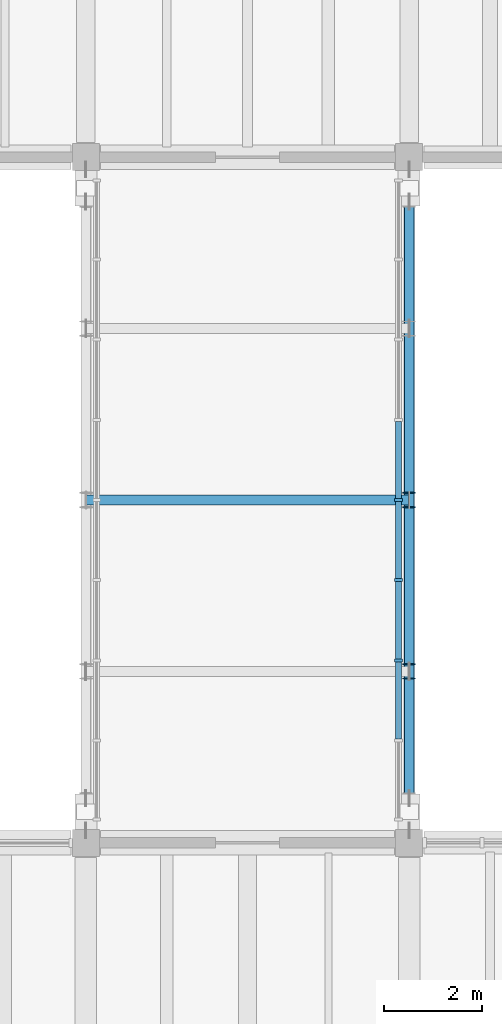
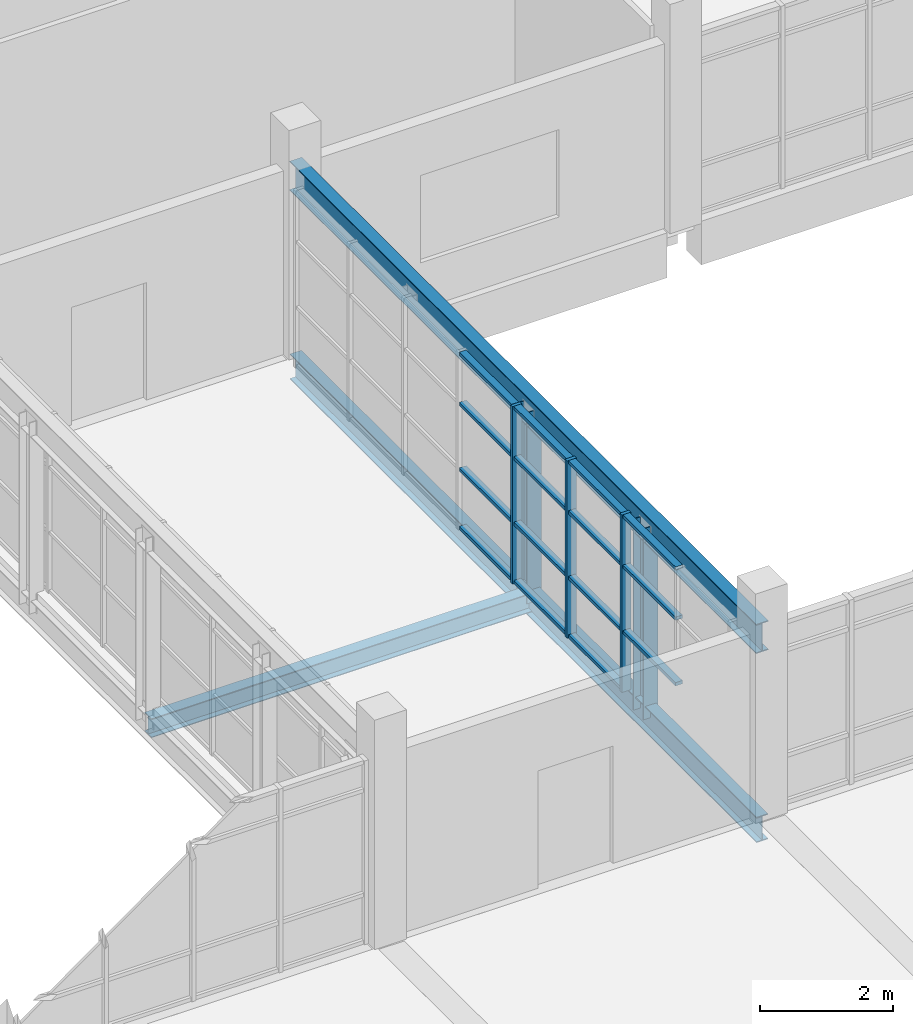
# One storey, part 21 of 67: 22 members, 1 beam, 1 element without a shape of its own.
"""IFC4 building model written with IfcOpenShell, lengths in metres."""

import ifcopenshell
import ifcopenshell.guid

model = None  # the IFC model being written
_history = None  # IfcOwnerHistory: only IFC2X3 demands one
_inside = {}  # id of a spatial element -> (the spatial element, [elements in it])
_under = {}  # id of a project, library or spatial element -> (it, [spatial elements below it])
_declared = {}  # id of a project -> (the project, [libraries it declares])
_typed = {}  # id of a type object -> (the type object, [elements of that type])
_made_of = {}  # id of a material, layer set ... -> (it, [elements and type objects made of it])


def new_model(schema):
    """Start an empty IFC model of exactly this schema.

    Asked for "IFC4X3", IfcOpenShell would pick the latest addendum, in which some entities
    have other attributes; the version numbers below select the first issue.
    IFC2X3 requires an IfcOwnerHistory on every rooted entity: one is made here for all.
    """
    global model, _history
    if schema == "IFC4X3":
        model = ifcopenshell.file(schema_version=(4, 3, 0, 0))
    else:
        model = ifcopenshell.file(schema=schema)
    _inside.clear()
    _under.clear()
    _declared.clear()
    _typed.clear()
    _made_of.clear()
    _history = None
    if model.schema == "IFC2X3":
        org = make("IfcOrganization", Name="unknown")
        user = make(
            "IfcPersonAndOrganization",
            ThePerson=make("IfcPerson", FamilyName="unknown"),
            TheOrganization=org,
        )
        app = make(
            "IfcApplication",
            ApplicationDeveloper=org,
            Version="unknown",
            ApplicationFullName="unknown",
            ApplicationIdentifier="unknown",
        )
        _history = make(
            "IfcOwnerHistory",
            OwningUser=user,
            OwningApplication=app,
            ChangeAction="ADDED",
            CreationDate=0,
        )
    return model


def make(cls, **values):
    """One entity of the class cls with the attributes given. An attribute that is None is left unset."""
    return model.create_entity(
        cls, **{name: value for name, value in values.items() if value is not None}
    )


def rooted(cls, **values):
    """An entity with a GlobalId (a new one), such as an element, a storey or a relation."""
    return make(cls, GlobalId=ifcopenshell.guid.new(), OwnerHistory=_history, **values)


def si_unit(unit_type, name, prefix=None):
    """IfcSIUnit, for example si_unit("LENGTHUNIT", "METRE", prefix="MILLI")."""
    return make("IfcSIUnit", UnitType=unit_type, Prefix=prefix, Name=name)


def assignment(units):
    """IfcUnitAssignment: the units of a project."""
    return None if units is None else make("IfcUnitAssignment", Units=units)


def point(xyz):
    """IfcCartesianPoint."""
    return None if xyz is None else make("IfcCartesianPoint", Coordinates=xyz)


def direction(xyz):
    """IfcDirection."""
    return None if xyz is None else make("IfcDirection", DirectionRatios=xyz)


def frame(location, z_axis=None, x_axis=None):
    """IfcAxis2Placement3D, a coordinate frame: its origin and axes. An axis left out is left unset."""
    return make(
        "IfcAxis2Placement3D",
        Location=point(location),
        Axis=direction(z_axis),
        RefDirection=direction(x_axis),
    )


def frame_2d(location, x_axis=None):
    """IfcAxis2Placement2D, a coordinate frame in the plane: its origin and x axis."""
    return make(
        "IfcAxis2Placement2D", Location=point(location), RefDirection=direction(x_axis)
    )


def origin():
    """The frame at (0, 0, 0) with its axes left unset."""
    return frame((0.0, 0.0, 0.0))


def origin_2d():
    """The frame at (0, 0) in the plane with its x axis left unset."""
    return frame_2d((0.0, 0.0))


def place(relative_to, where):
    """IfcLocalPlacement: puts the frame where relative to a parent placement (None: the world)."""
    return make(
        "IfcLocalPlacement", PlacementRelTo=relative_to, RelativePlacement=where
    )


def context(
    kind, dimensions, precision=None, world=None, true_north=None, identifier=None
):
    """IfcGeometricRepresentationContext, for example the 3D "Model" context."""
    return make(
        "IfcGeometricRepresentationContext",
        ContextIdentifier=identifier,
        ContextType=kind,
        CoordinateSpaceDimension=dimensions,
        Precision=precision,
        WorldCoordinateSystem=world,
        TrueNorth=true_north,
    )


def subcontext(parent, identifier, kind, view, scale=None):
    """IfcGeometricRepresentationSubContext, for example "Body" below "Model"."""
    return make(
        "IfcGeometricRepresentationSubContext",
        ContextIdentifier=identifier,
        ContextType=kind,
        ParentContext=parent,
        TargetScale=scale,
        TargetView=view,
    )


def project(units=None, contexts=None):
    """IfcProject with its units and contexts."""
    return rooted(
        "IfcProject",
        Name="project",
        RepresentationContexts=contexts,
        UnitsInContext=assignment(units),
    )


def spatial(cls, under=None, at=None, **own):
    """A site, building, storey or space (cls), placed at a placement, below another one or the project."""
    s = rooted(cls, ObjectPlacement=at, **own)
    if under is not None:
        _under.setdefault(under.id(), (under, []))[1].append(s)
    return s


def profile(cls, at=None, kind="AREA", **sizes):
    """A parametric profile (cls). Its sizes go by their IFC names, for example OverallWidth=200.0."""
    return make(cls, ProfileType=kind, Position=at, **sizes)


def rectangle(**sizes):
    """IfcRectangleProfileDef."""
    return profile("IfcRectangleProfileDef", **sizes)


def i_section(**sizes):
    """IfcIShapeProfileDef."""
    return profile("IfcIShapeProfileDef", **sizes)


def extrude(swept, where, along, depth):
    """IfcExtrudedAreaSolid: the profile swept, set in the frame where, extruded along a direction by depth."""
    return make(
        "IfcExtrudedAreaSolid",
        SweptArea=swept,
        Position=where,
        ExtrudedDirection=direction(along),
        Depth=depth,
    )


def shape(context_of_items, identifier, shape_type, items):
    """IfcShapeRepresentation: the items that make up one representation, for example the "Body"."""
    return make(
        "IfcShapeRepresentation",
        ContextOfItems=context_of_items,
        RepresentationIdentifier=identifier,
        RepresentationType=shape_type,
        Items=items,
    )


def material(Name=None, Category=None):
    """IfcMaterial."""
    return make("IfcMaterial", Name=Name, Category=Category)


def material_profile(
    of_material, cross_section, Name=None, Category=None, Priority=None
):
    """IfcMaterialProfile: a cross section and its material."""
    return make(
        "IfcMaterialProfile",
        Name=Name,
        Material=of_material,
        Profile=cross_section,
        Priority=Priority,
        Category=Category,
    )


def profile_set(profiles, Name=None, composite=None):
    """IfcMaterialProfileSet."""
    return make(
        "IfcMaterialProfileSet",
        Name=Name,
        MaterialProfiles=profiles,
        CompositeProfile=composite,
    )


def made_of(thing, what):
    """Note that an element or type object is made of a material, layer set ...; save() writes the relation."""
    if what is not None:
        _made_of.setdefault(what.id(), (what, []))[1].append(thing)
    return thing


def type_object(cls, material=None, **own):
    """A type object (cls), such as IfcWallType, which elements share."""
    return made_of(rooted(cls, **own), material)


def element(
    cls,
    number,
    at=None,
    inside=None,
    cuts=None,
    type_object=None,
    material=None,
    context=None,
    identifier="Body",
    shape_type=None,
    held_by="IfcProductDefinitionShape",
    body=None,
    shapes=None,
    **own,
):
    """One element of the class cls, such as IfcWall. Its Tag is "e" and its number.

    at: its placement. inside: the storey or other place that contains it. cuts: it is an
    opening in that element (IfcRelVoidsElement). A single representation is given by context,
    identifier, shape_type and body (its items); several are given by shapes. held_by: the class
    of the entity that holds the representations. save() writes the other relations.
    """
    e = rooted(cls, Tag="e%d" % number, ObjectPlacement=at, **own)
    if body is not None:
        shapes = [shape(context, identifier, shape_type, body)]
    if shapes is not None:
        e.Representation = make(held_by, Representations=shapes)
    if inside is not None:
        _inside.setdefault(inside.id(), (inside, []))[1].append(e)
    if cuts is not None:
        rooted(
            "IfcRelVoidsElement", RelatingBuildingElement=cuts, RelatedOpeningElement=e
        )
    if type_object is not None:
        _typed.setdefault(type_object.id(), (type_object, []))[1].append(e)
    return made_of(e, material)


def aggregate(whole, parts):
    """IfcRelAggregates: a whole, such as a stair, and the parts it consists of."""
    return rooted("IfcRelAggregates", RelatingObject=whole, RelatedObjects=parts)


def save(model, path):
    """Write the relations noted so far, then the file.

    IfcRelAggregates (storeys below a building ...), IfcRelContainedInSpatialStructure (elements
    in a storey), IfcRelDefinesByType, IfcRelAssociatesMaterial and IfcRelDeclares: one each for
    every whole, place, type object, material and project.
    """
    for whole, parts in _under.values():
        aggregate(whole, parts)
    for where, things in _inside.values():
        rooted(
            "IfcRelContainedInSpatialStructure",
            RelatedElements=things,
            RelatingStructure=where,
        )
    for kind, things in _typed.values():
        rooted("IfcRelDefinesByType", RelatedObjects=things, RelatingType=kind)
    for what, things in _made_of.values():
        rooted("IfcRelAssociatesMaterial", RelatedObjects=things, RelatingMaterial=what)
    for by, libraries in _declared.values():
        rooted("IfcRelDeclares", RelatingContext=by, RelatedDefinitions=libraries)
    model.write(path)


model = new_model("IFC4")

# Units and contexts
model_context = context("Model", 3, precision=1e-05, world=origin(), true_north=direction((0.0, 1.0)))
body_context = subcontext(model_context, "Body", "Model", "MODEL_VIEW")
ifc_project = project(units=[si_unit("LENGTHUNIT", "METRE"), si_unit("AREAUNIT", "SQUARE_METRE"), si_unit("VOLUMEUNIT", "CUBIC_METRE"), si_unit("PLANEANGLEUNIT", "RADIAN"), si_unit("MASSUNIT", "GRAM", prefix="KILO")], contexts=[model_context])

# Site, building, storey
site_placement = place(None, origin())
site = spatial("IfcSite", under=ifc_project, at=site_placement, CompositionType="ELEMENT")
building_placement = place(site_placement, origin())
building = spatial("IfcBuilding", under=site, at=building_placement, Name="Ciguamira Faculty of Natural Sciences", CompositionType="ELEMENT")
storey_placement = place(building_placement, frame((0.0, 0.0, 8.39990234375)))
storey = spatial("IfcBuildingStorey", under=building, at=storey_placement, Name="L02", CompositionType="ELEMENT", Elevation=8.39990234375)

# Curtain wall, members
ifc_material_1 = material(Name="Anodized aluminium curtain wall", Category="aluminium")
curtain_wall_type = type_object("IfcCurtainWallType", Name="CurtainWall_CW-09", PredefinedType="USERDEFINED", material=ifc_material_1)
curtain_wall_placement = place(storey_placement, origin())
curtain_wall = element("IfcCurtainWall", 1, at=curtain_wall_placement, inside=storey, type_object=curtain_wall_type, Name="Link bridge BR-2 glazed curtain wall E", ObjectType="UNITISED CURTAIN WALL", PredefinedType="USERDEFINED")
ifc_material_2 = material(Name="Anodized aluminium mullion", Category="aluminium")
ifc_material_profile_1 = material_profile(ifc_material_2, rectangle(XDim=0.06005859375, YDim=0.159912109375, at=origin_2d()), Name="ALU-MUL-60X160")
ifc_profile_set_1 = profile_set([ifc_material_profile_1], Name="Anodized aluminium mullion")
member_type_1 = type_object("IfcMemberType", Name="CWMullion_CWM-01", PredefinedType="MULLION", material=ifc_profile_set_1)
member_1_placement = place(storey_placement, frame((96.679931640625, 62.72509765625, 0.0), z_axis=(0.0, 0.0, 1.0), x_axis=(0.0, 1.0, 0.0)))
member_1 = element("IfcMember", 2, at=member_1_placement, type_object=member_type_1, Name="CW-09 mullion 3", PredefinedType="MULLION", context=body_context, shape_type="SweptSolid", body=[
    extrude(rectangle(XDim=0.06005859375, YDim=0.159912109375, at=origin_2d()), origin(), (0.0, 0.0, 1.0), 3.25),
])
member_2_placement = place(storey_placement, frame((96.679931640625, 64.362548828125, 0.0), z_axis=(0.0, 0.0, 1.0), x_axis=(0.0, 1.0, 0.0)))
member_2 = element("IfcMember", 3, at=member_2_placement, type_object=member_type_1, Name="CW-09 mullion 4", PredefinedType="MULLION", context=body_context, shape_type="SweptSolid", body=[
    extrude(rectangle(XDim=0.06005859375, YDim=0.159912109375, at=origin_2d()), origin(), (0.0, 0.0, 1.0), 3.25),
])
member_3_placement = place(storey_placement, frame((96.679931640625, 66.0, 0.0), z_axis=(0.0, 0.0, 1.0), x_axis=(0.0, 1.0, 0.0)))
member_3 = element("IfcMember", 4, at=member_3_placement, type_object=member_type_1, Name="CW-09 mullion 5", PredefinedType="MULLION", context=body_context, shape_type="SweptSolid", body=[
    extrude(rectangle(XDim=0.06005859375, YDim=0.159912109375, at=origin_2d()), origin(), (0.0, 0.0, 1.0), 3.25),
])
ifc_material_3 = material(Name="Anodized aluminium transom", Category="aluminium")
ifc_material_profile_2 = material_profile(ifc_material_3, rectangle(XDim=0.06005859375, YDim=0.1201171875, at=origin_2d()), Name="ALU-TRN-60X120")
ifc_profile_set_2 = profile_set([ifc_material_profile_2], Name="Anodized aluminium transom")
member_type_2 = type_object("IfcMemberType", Name="CWTransom_CWT-01", PredefinedType="USERDEFINED", material=ifc_profile_set_2)
member_4_placement = place(storey_placement, frame((96.679931640625, 61.117431640625, 1.10009765625), z_axis=(0.0, 1.0, 0.0), x_axis=(0.0, 0.0, 1.0)))
member_4 = element("IfcMember", 5, at=member_4_placement, type_object=member_type_2, Name="CW-09 transom 2.2", ObjectType="TRANSOM", PredefinedType="USERDEFINED", context=body_context, shape_type="SweptSolid", body=[
    extrude(rectangle(XDim=0.06005859375, YDim=0.1201171875, at=origin_2d()), origin(), (0.0, 0.0, 1.0), 1.57763671875),
])
member_5_placement = place(storey_placement, frame((96.679931640625, 61.117431640625, 2.300048828125), z_axis=(0.0, 1.0, 0.0), x_axis=(0.0, 0.0, 1.0)))
member_5 = element("IfcMember", 6, at=member_5_placement, type_object=member_type_2, Name="CW-09 transom 2.3", ObjectType="TRANSOM", PredefinedType="USERDEFINED", context=body_context, shape_type="SweptSolid", body=[
    extrude(rectangle(XDim=0.06005859375, YDim=0.1201171875, at=origin_2d()), origin(), (0.0, 0.0, 1.0), 1.57763671875),
])
member_6_placement = place(storey_placement, frame((96.679931640625, 61.117431640625, 3.22021484375), z_axis=(0.0, 1.0, 0.0), x_axis=(0.0, 0.0, 1.0)))
member_6 = element("IfcMember", 7, at=member_6_placement, type_object=member_type_2, Name="CW-09 transom 2.4", ObjectType="TRANSOM", PredefinedType="USERDEFINED", context=body_context, shape_type="SweptSolid", body=[
    extrude(rectangle(XDim=0.06005859375, YDim=0.1201171875, at=origin_2d()), origin(), (0.0, 0.0, 1.0), 1.57763671875),
])
member_7_placement = place(storey_placement, frame((96.679931640625, 62.7548828125, 0.030029296875), z_axis=(0.0, 1.0, 0.0), x_axis=(0.0, 0.0, 1.0)))
member_7 = element("IfcMember", 8, at=member_7_placement, type_object=member_type_2, Name="CW-09 transom 3.1", ObjectType="TRANSOM", PredefinedType="USERDEFINED", context=body_context, shape_type="SweptSolid", body=[
    extrude(rectangle(XDim=0.06005859375, YDim=0.1201171875, at=origin_2d()), origin(), (0.0, 0.0, 1.0), 1.57763671875),
])
member_8_placement = place(storey_placement, frame((96.679931640625, 62.7548828125, 1.10009765625), z_axis=(0.0, 1.0, 0.0), x_axis=(0.0, 0.0, 1.0)))
member_8 = element("IfcMember", 9, at=member_8_placement, type_object=member_type_2, Name="CW-09 transom 3.2", ObjectType="TRANSOM", PredefinedType="USERDEFINED", context=body_context, shape_type="SweptSolid", body=[
    extrude(rectangle(XDim=0.06005859375, YDim=0.1201171875, at=origin_2d()), origin(), (0.0, 0.0, 1.0), 1.57763671875),
])
member_9_placement = place(storey_placement, frame((96.679931640625, 62.7548828125, 2.300048828125), z_axis=(0.0, 1.0, 0.0), x_axis=(0.0, 0.0, 1.0)))
member_9 = element("IfcMember", 10, at=member_9_placement, type_object=member_type_2, Name="CW-09 transom 3.3", ObjectType="TRANSOM", PredefinedType="USERDEFINED", context=body_context, shape_type="SweptSolid", body=[
    extrude(rectangle(XDim=0.06005859375, YDim=0.1201171875, at=origin_2d()), origin(), (0.0, 0.0, 1.0), 1.57763671875),
])
member_10_placement = place(storey_placement, frame((96.679931640625, 62.7548828125, 3.22021484375), z_axis=(0.0, 1.0, 0.0), x_axis=(0.0, 0.0, 1.0)))
member_10 = element("IfcMember", 11, at=member_10_placement, type_object=member_type_2, Name="CW-09 transom 3.4", ObjectType="TRANSOM", PredefinedType="USERDEFINED", context=body_context, shape_type="SweptSolid", body=[
    extrude(rectangle(XDim=0.06005859375, YDim=0.1201171875, at=origin_2d()), origin(), (0.0, 0.0, 1.0), 1.57763671875),
])
member_11_placement = place(storey_placement, frame((96.679931640625, 64.392578125, 0.030029296875), z_axis=(0.0, 1.0, 0.0), x_axis=(0.0, 0.0, 1.0)))
member_11 = element("IfcMember", 12, at=member_11_placement, type_object=member_type_2, Name="CW-09 transom 4.1", ObjectType="TRANSOM", PredefinedType="USERDEFINED", context=body_context, shape_type="SweptSolid", body=[
    extrude(rectangle(XDim=0.06005859375, YDim=0.1201171875, at=origin_2d()), origin(), (0.0, 0.0, 1.0), 1.577392578125),
])
member_12_placement = place(storey_placement, frame((96.679931640625, 64.392578125, 1.10009765625), z_axis=(0.0, 1.0, 0.0), x_axis=(0.0, 0.0, 1.0)))
member_12 = element("IfcMember", 13, at=member_12_placement, type_object=member_type_2, Name="CW-09 transom 4.2", ObjectType="TRANSOM", PredefinedType="USERDEFINED", context=body_context, shape_type="SweptSolid", body=[
    extrude(rectangle(XDim=0.06005859375, YDim=0.1201171875, at=origin_2d()), origin(), (0.0, 0.0, 1.0), 1.577392578125),
])
member_13_placement = place(storey_placement, frame((96.679931640625, 64.392578125, 2.300048828125), z_axis=(0.0, 1.0, 0.0), x_axis=(0.0, 0.0, 1.0)))
member_13 = element("IfcMember", 14, at=member_13_placement, type_object=member_type_2, Name="CW-09 transom 4.3", ObjectType="TRANSOM", PredefinedType="USERDEFINED", context=body_context, shape_type="SweptSolid", body=[
    extrude(rectangle(XDim=0.06005859375, YDim=0.1201171875, at=origin_2d()), origin(), (0.0, 0.0, 1.0), 1.577392578125),
])
member_14_placement = place(storey_placement, frame((96.679931640625, 64.392578125, 3.22021484375), z_axis=(0.0, 1.0, 0.0), x_axis=(0.0, 0.0, 1.0)))
member_14 = element("IfcMember", 15, at=member_14_placement, type_object=member_type_2, Name="CW-09 transom 4.4", ObjectType="TRANSOM", PredefinedType="USERDEFINED", context=body_context, shape_type="SweptSolid", body=[
    extrude(rectangle(XDim=0.06005859375, YDim=0.1201171875, at=origin_2d()), origin(), (0.0, 0.0, 1.0), 1.577392578125),
])
member_15_placement = place(storey_placement, frame((96.679931640625, 66.030029296875, 0.030029296875), z_axis=(0.0, 1.0, 0.0), x_axis=(0.0, 0.0, 1.0)))
member_15 = element("IfcMember", 16, at=member_15_placement, type_object=member_type_2, Name="CW-09 transom 5.1", ObjectType="TRANSOM", PredefinedType="USERDEFINED", context=body_context, shape_type="SweptSolid", body=[
    extrude(rectangle(XDim=0.06005859375, YDim=0.1201171875, at=origin_2d()), origin(), (0.0, 0.0, 1.0), 1.577392578125),
])
member_16_placement = place(storey_placement, frame((96.679931640625, 66.030029296875, 1.10009765625), z_axis=(0.0, 1.0, 0.0), x_axis=(0.0, 0.0, 1.0)))
member_16 = element("IfcMember", 17, at=member_16_placement, type_object=member_type_2, Name="CW-09 transom 5.2", ObjectType="TRANSOM", PredefinedType="USERDEFINED", context=body_context, shape_type="SweptSolid", body=[
    extrude(rectangle(XDim=0.06005859375, YDim=0.1201171875, at=origin_2d()), origin(), (0.0, 0.0, 1.0), 1.577392578125),
])
member_17_placement = place(storey_placement, frame((96.679931640625, 66.030029296875, 2.300048828125), z_axis=(0.0, 1.0, 0.0), x_axis=(0.0, 0.0, 1.0)))
member_17 = element("IfcMember", 18, at=member_17_placement, type_object=member_type_2, Name="CW-09 transom 5.3", ObjectType="TRANSOM", PredefinedType="USERDEFINED", context=body_context, shape_type="SweptSolid", body=[
    extrude(rectangle(XDim=0.06005859375, YDim=0.1201171875, at=origin_2d()), origin(), (0.0, 0.0, 1.0), 1.577392578125),
])
member_18_placement = place(storey_placement, frame((96.679931640625, 66.030029296875, 3.22021484375), z_axis=(0.0, 1.0, 0.0), x_axis=(0.0, 0.0, 1.0)))
member_18 = element("IfcMember", 19, at=member_18_placement, type_object=member_type_2, Name="CW-09 transom 5.4", ObjectType="TRANSOM", PredefinedType="USERDEFINED", context=body_context, shape_type="SweptSolid", body=[
    extrude(rectangle(XDim=0.06005859375, YDim=0.1201171875, at=origin_2d()), origin(), (0.0, 0.0, 1.0), 1.577392578125),
])
aggregate(curtain_wall, [member_1, member_2, member_3, member_4, member_5, member_6, member_7, member_8, member_9, member_10, member_11, member_12, member_13, member_14, member_15, member_16, member_17, member_18])

# Beam
ifc_material_4 = material(Name="Steel ASTM A992 Grade 50", Category="steel")
ifc_material_profile_3 = material_profile(ifc_material_4, i_section(OverallWidth=0.203125, OverallDepth=0.347900390625, WebThickness=0.0078125, FlangeThickness=0.013427734375, at=origin_2d()), Name="W14X43")
ifc_profile_set_3 = profile_set([ifc_material_profile_3], Name="Steel ASTM A992 Grade 50")
beam_type = type_object("IfcBeamType", Name="SteelJoist_SJ-12_W14X43", PredefinedType="JOIST", material=ifc_profile_set_3)
beam_placement = place(storey_placement, frame((90.300048828125, 66.0, -0.393798828125), z_axis=(1.0, 0.0, 0.0), x_axis=(0.0, 1.0, 0.0)))
element("IfcBeam", 20, at=beam_placement, inside=storey, type_object=beam_type, Name="Link bridge BR-2 floor crossbeam 2", PredefinedType="JOIST", context=body_context, shape_type="SweptSolid", body=[
    extrude(i_section(OverallWidth=0.203125, OverallDepth=0.347900390625, WebThickness=0.0078125, FlangeThickness=0.013427734375, at=origin_2d()), origin(), (0.0, 0.0, 1.0), 6.599853515625),
])

# Members
ifc_material_profile_4 = material_profile(ifc_material_4, i_section(OverallWidth=0.19287109375, OverallDepth=0.46728515625, WebThickness=0.011474609375, FlangeThickness=0.01904296875, at=origin_2d()), Name="W18X65")
ifc_profile_set_4 = profile_set([ifc_material_profile_4], Name="Steel ASTM A992 Grade 50")
member_type_3 = type_object("IfcMemberType", Name="SteelMember_TC-01_W18X65", PredefinedType="CHORD", material=ifc_profile_set_4)
member_19_placement = place(storey_placement, frame((96.89990234375, 59.0, -0.349853515625), z_axis=(0.0, 1.0, 0.0), x_axis=(-1.0, 0.0, 0.0)))
element("IfcMember", 21, at=member_19_placement, inside=storey, type_object=member_type_3, Name="Link bridge BR-2 bottom truss chord 2", PredefinedType="CHORD", context=body_context, shape_type="SweptSolid", body=[
    extrude(i_section(OverallWidth=0.19287109375, OverallDepth=0.46728515625, WebThickness=0.011474609375, FlangeThickness=0.01904296875, at=origin_2d()), origin(), (0.0, 0.0, 1.0), 14.0),
])
ifc_material_profile_5 = material_profile(ifc_material_4, i_section(OverallWidth=0.2099609375, OverallDepth=0.535888671875, WebThickness=0.010986328125, FlangeThickness=0.017333984375, at=origin_2d()), Name="W21X68")
ifc_profile_set_5 = profile_set([ifc_material_profile_5], Name="Steel ASTM A992 Grade 50")
member_type_4 = type_object("IfcMemberType", Name="SteelMember_TC-02_W21X68", PredefinedType="CHORD", material=ifc_profile_set_5)
member_20_placement = place(storey_placement, frame((96.89990234375, 59.0, 3.150146484375), z_axis=(0.0, 1.0, 0.0), x_axis=(-1.0, 0.0, 0.0)))
element("IfcMember", 22, at=member_20_placement, inside=storey, type_object=member_type_4, Name="Link bridge BR-2 top truss chord 2", PredefinedType="CHORD", context=body_context, shape_type="SweptSolid", body=[
    extrude(i_section(OverallWidth=0.2099609375, OverallDepth=0.535888671875, WebThickness=0.010986328125, FlangeThickness=0.017333984375, at=origin_2d()), origin(), (0.0, 0.0, 1.0), 14.0),
])
ifc_material_profile_6 = material_profile(ifc_material_4, i_section(OverallWidth=0.25390625, OverallDepth=0.307373046875, WebThickness=0.0087890625, FlangeThickness=0.0146484375, at=origin_2d()), Name="W12X53")
ifc_profile_set_6 = profile_set([ifc_material_profile_6], Name="Steel ASTM A992 Grade 50")
member_type_5 = type_object("IfcMemberType", Name="SteelMember_TS-02_W12X53", PredefinedType="STRUT", material=ifc_profile_set_6)
for number, where, z_axis, x_axis, name in (
    (23, (96.89990234375, 62.5, -0.349853515625), (0.0, 0.0, 1.0), (1.0, 0.0, 0.0), "Link bridge BR-2 truss vertical 2-2"),
    (24, (96.89990234375, 66.0, -0.349853515625), (0.0, 0.0, 1.0), (1.0, 0.0, 0.0), "Link bridge BR-2 truss vertical 2-3"),
):
    element("IfcMember", number, at=place(storey_placement, frame(where, z_axis=z_axis, x_axis=x_axis)), inside=storey, type_object=member_type_5, Name=name, PredefinedType="STRUT", context=body_context, shape_type="SweptSolid", body=[
        extrude(i_section(OverallWidth=0.25390625, OverallDepth=0.307373046875, WebThickness=0.0087890625, FlangeThickness=0.0146484375, at=origin_2d()), origin(), (0.0, 0.0, 1.0), 3.5),
    ])

save(model, "model.ifc")
